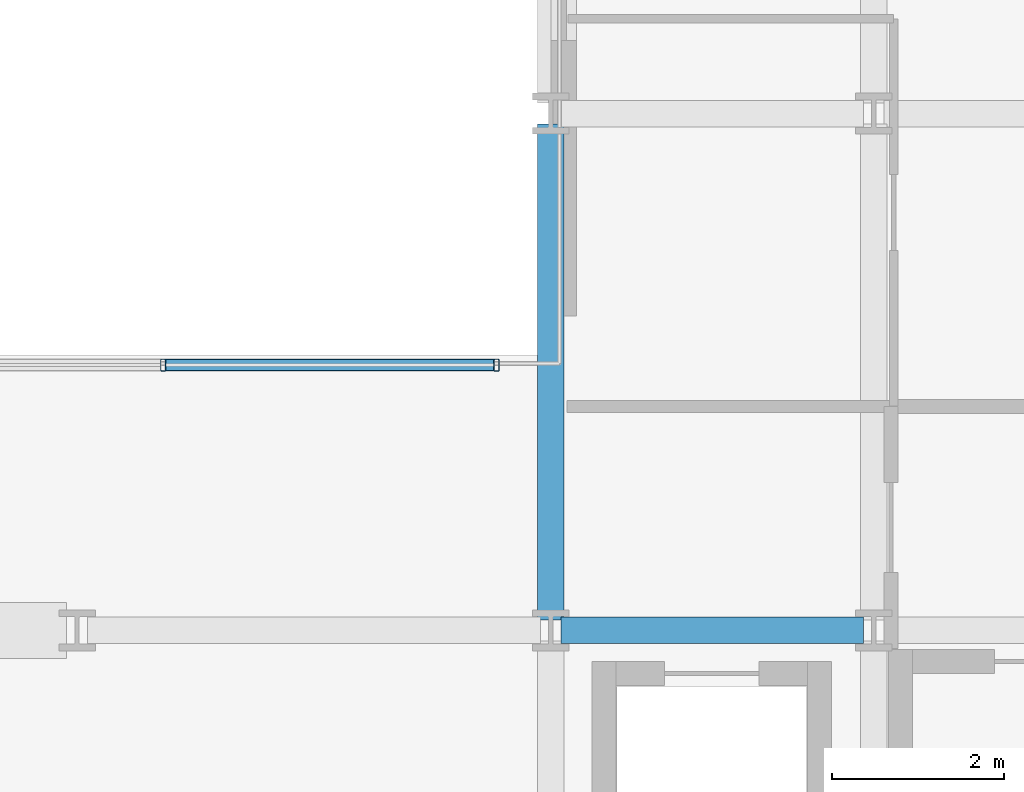
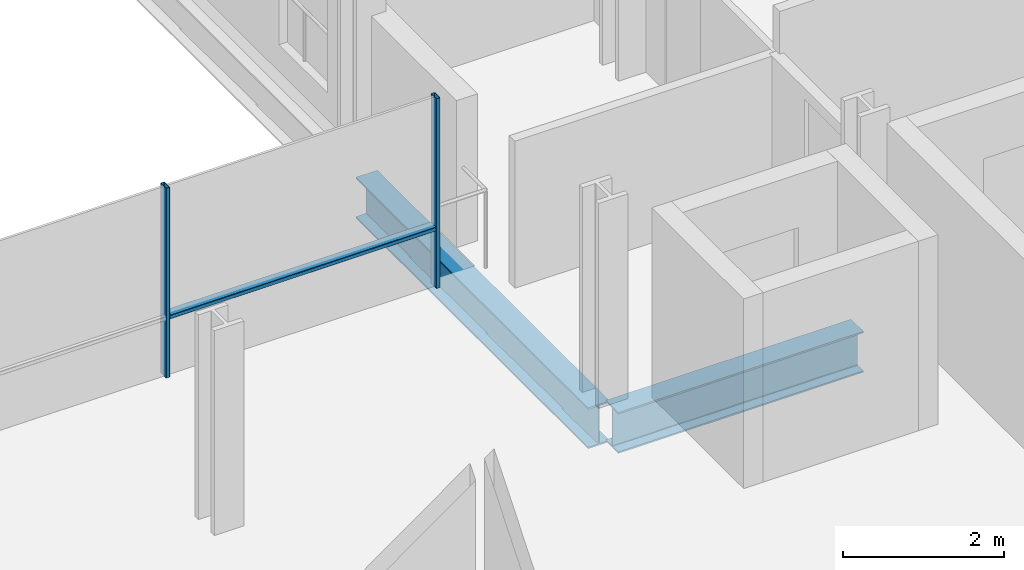
# One storey, part 13 of 38: 3 members, 2 beams, 1 element without a shape of its own.
"""IFC4 building model written with IfcOpenShell, lengths in metres."""

from ifc_helpers import new_model, si_unit, direction, frame, origin, origin_2d, place, context, subcontext, project, spatial, hollow_rectangle, i_section, extrude, material, layer, layer_set, material_profile, profile_set, type_object, element, aggregate, save


model = new_model("IFC4")

# Units and contexts
model_context = context("Model", 3, precision=1e-05, world=origin(), true_north=direction((0.0, 1.0)))
body_context = subcontext(model_context, "Body", "Model", "MODEL_VIEW")
ifc_project = project(units=[si_unit("LENGTHUNIT", "METRE"), si_unit("AREAUNIT", "SQUARE_METRE"), si_unit("VOLUMEUNIT", "CUBIC_METRE"), si_unit("PLANEANGLEUNIT", "RADIAN"), si_unit("MASSUNIT", "GRAM", prefix="KILO")], contexts=[model_context])

# Site, building, storey
site_placement = place(None, origin())
site = spatial("IfcSite", under=ifc_project, at=site_placement, CompositionType="ELEMENT")
building_placement = place(site_placement, origin())
building = spatial("IfcBuilding", under=site, at=building_placement, Name="Brevholm Reach", CompositionType="ELEMENT")
storey_placement = place(building_placement, frame((0.0, 0.0, 52.800048828125)))
storey = spatial("IfcBuildingStorey", under=building, at=storey_placement, Name="L14", CompositionType="ELEMENT", Elevation=52.800048828125)

# Beams
ifc_material_1 = material(Name="Structural Steel S355J2", Category="steel")
ifc_material_profile_1 = material_profile(ifc_material_1, i_section(OverallWidth=0.30712890625, OverallDepth=0.6201171875, WebThickness=0.01416015625, FlangeThickness=0.023681640625, FilletRadius=0.0166015625, at=origin_2d()), Name="UKB 610x305x179")
ifc_profile_set_1 = profile_set([ifc_material_profile_1], Name="Structural Steel S355J2")
beam_type = type_object("IfcBeamType", Name="BM-UKB610H", PredefinedType="USERDEFINED", material=ifc_profile_set_1)
beam_1_placement = place(storey_placement, frame((38.3701171875, 10.0, -0.5400390625), z_axis=(1.0, 0.0, 0.0), x_axis=(0.0, 1.0, 0.0)))
element("IfcBeam", 1, at=beam_1_placement, inside=storey, type_object=beam_type, Name="L14 G-06 Framing Beam", ObjectType="GIRDER", PredefinedType="USERDEFINED", context=body_context, shape_type="SweptSolid", body=[
    extrude(i_section(OverallWidth=0.30712890625, OverallDepth=0.6201171875, WebThickness=0.01416015625, FlangeThickness=0.023681640625, FilletRadius=0.0166015625, at=origin_2d()), origin(), (0.0, 0.0, 1.0), 3.509765625),
])
beam_2_placement = place(storey_placement, frame((38.25, 10.1201171875, -0.5400390625), z_axis=(0.0, 1.0, 0.0), x_axis=(-1.0, 0.0, 0.0)))
element("IfcBeam", 2, at=beam_2_placement, inside=storey, type_object=beam_type, Name="L14 G-06 Framing Beam", ObjectType="GIRDER", PredefinedType="USERDEFINED", context=body_context, shape_type="SweptSolid", body=[
    extrude(i_section(OverallWidth=0.30712890625, OverallDepth=0.6201171875, WebThickness=0.01416015625, FlangeThickness=0.023681640625, FilletRadius=0.0166015625, at=origin_2d()), origin(), (0.0, 0.0, 1.0), 5.759765625),
])

# Curtain wall, members
ifc_material_2 = material(Name="Dark Anodised Aluminium 6063-T6 and Solar-Control Glass", Category="aluminium")
ifc_layer = layer(ifc_material_2, 0.139892578125)
ifc_layer_set = layer_set([ifc_layer], Name="Dark Anodised Aluminium 6063-T6 and Solar-Control Glass")
curtain_wall_type = type_object("IfcCurtainWallType", Name="CW-02", PredefinedType="NOTDEFINED", material=ifc_layer_set)
curtain_wall_placement = place(storey_placement, origin())
curtain_wall = element("IfcCurtainWall", 3, at=curtain_wall_placement, inside=storey, type_object=curtain_wall_type, Name="L14 Curtain Wall CW-02", PredefinedType="NOTDEFINED")
ifc_material_3 = material(Name="Dark Anodised Aluminium 6063-T6", Category="aluminium")
ifc_material_profile_2 = material_profile(ifc_material_3, hollow_rectangle(XDim=0.06005859375, YDim=0.139892578125, WallThickness=0.0048828125, InnerFilletRadius=0.0048828125, OuterFilletRadius=0.010009765625, at=origin_2d()), Name="RHS 140x60x5")
ifc_profile_set_2 = profile_set([ifc_material_profile_2], Name="Dark Anodised Aluminium 6063-T6")
member_type_1 = type_object("IfcMemberType", Name="CWM-140", PredefinedType="MULLION", material=ifc_profile_set_2)
member_1_placement = place(storey_placement, frame((33.75, 13.080078125, 0.0), z_axis=(0.0, 0.0, 1.0), x_axis=(1.0, 0.0, 0.0)))
member_1 = element("IfcMember", 4, at=member_1_placement, type_object=member_type_1, Name="CM-140 Mullion 4", PredefinedType="MULLION", context=body_context, shape_type="SweptSolid", body=[
    extrude(hollow_rectangle(XDim=0.06005859375, YDim=0.139892578125, WallThickness=0.0048828125, InnerFilletRadius=0.0048828125, OuterFilletRadius=0.010009765625, at=origin_2d()), origin(), (0.0, 0.0, 1.0), 2.869873046875),
])
member_2_placement = place(storey_placement, frame((37.6201171875, 13.080078125, 0.0), z_axis=(0.0, 0.0, 1.0), x_axis=(1.0, 0.0, 0.0)))
member_2 = element("IfcMember", 5, at=member_2_placement, type_object=member_type_1, Name="CM-140 Mullion 5", PredefinedType="MULLION", context=body_context, shape_type="SweptSolid", body=[
    extrude(hollow_rectangle(XDim=0.06005859375, YDim=0.139892578125, WallThickness=0.0048828125, InnerFilletRadius=0.0048828125, OuterFilletRadius=0.010009765625, at=origin_2d()), origin(), (0.0, 0.0, 1.0), 2.869873046875),
])
ifc_material_4 = material(Name="Dark Anodised Aluminium 6063-T6", Category="aluminium")
ifc_material_profile_3 = material_profile(ifc_material_4, hollow_rectangle(XDim=0.06005859375, YDim=0.139892578125, WallThickness=0.0048828125, InnerFilletRadius=0.0048828125, OuterFilletRadius=0.010009765625, at=origin_2d()), Name="RHS 140x60x5")
ifc_profile_set_3 = profile_set([ifc_material_profile_3], Name="Dark Anodised Aluminium 6063-T6")
member_type_2 = type_object("IfcMemberType", Name="CWT-140", PredefinedType="NOTDEFINED", material=ifc_profile_set_3)
member_3_placement = place(storey_placement, frame((33.780029296875, 13.080078125, 0.89990234375), z_axis=(1.0, 0.0, 0.0), x_axis=(0.0, 0.0, 1.0)))
member_3 = element("IfcMember", 6, at=member_3_placement, type_object=member_type_2, Name="CT-140 Transom 4.1", ObjectType="TRANSOM", PredefinedType="USERDEFINED", context=body_context, shape_type="SweptSolid", body=[
    extrude(hollow_rectangle(XDim=0.06005859375, YDim=0.139892578125, WallThickness=0.0048828125, InnerFilletRadius=0.0048828125, OuterFilletRadius=0.010009765625, at=origin_2d()), origin(), (0.0, 0.0, 1.0), 3.81005859375),
])
aggregate(curtain_wall, [member_1, member_2, member_3])

save(model, "model.ifc")
